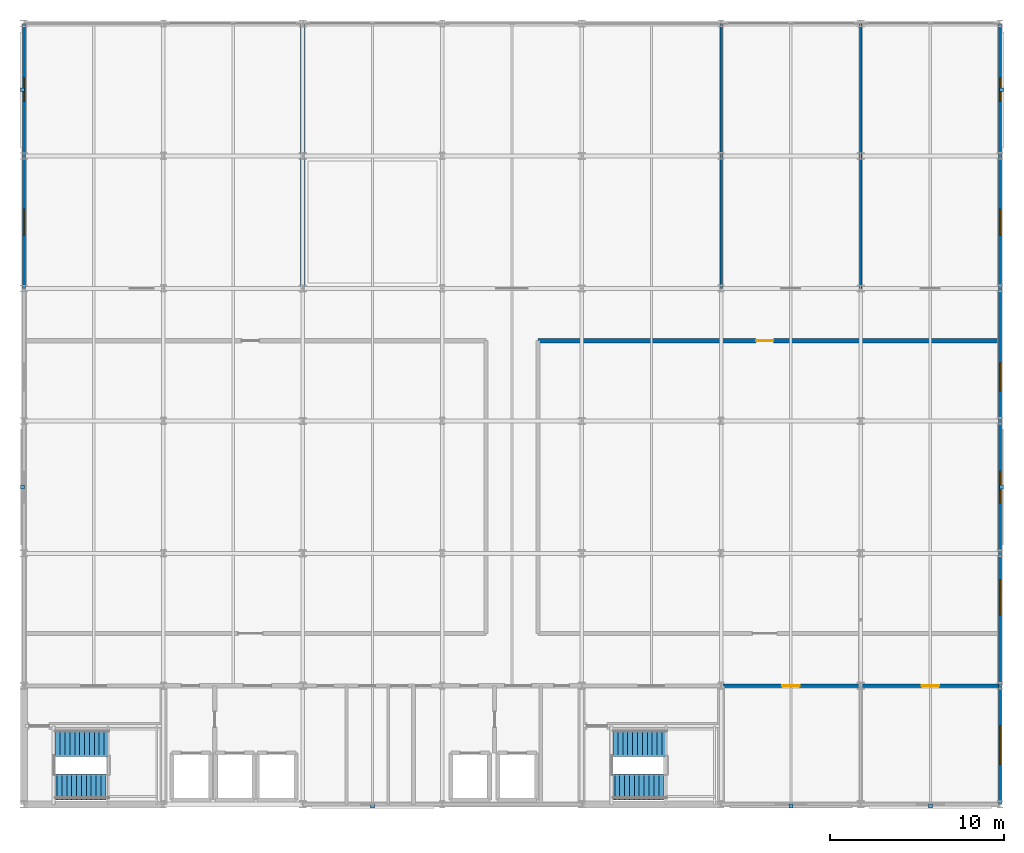
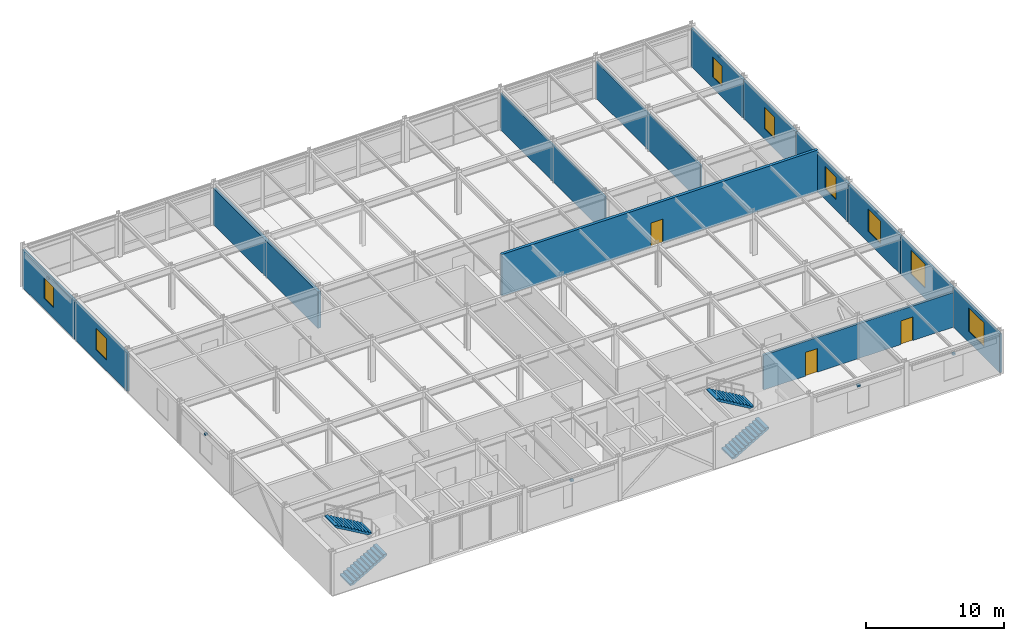
# One storey, part 13 of 14: 13 walls, 8 windows, 7 discrete accessories, 4 stair flights, 3 doors, 11 openings, 2 elements without a shape of their own.
"""IFC4 building model written with IfcOpenShell, lengths in metres."""

from ifc_helpers import new_model, si_unit, direction, frame, frame_2d, origin, origin_2d, place, context, subcontext, project, spatial, polyline, rectangle, outline, extrude, material, layer, layer_set, type_object, element, fill, aggregate, save


model = new_model("IFC4")

# Units and contexts
model_context = context("Model", 3, precision=1e-05, world=origin(), true_north=direction((0.0, 1.0)))
body_context = subcontext(model_context, "Body", "Model", "MODEL_VIEW")
ifc_project = project(units=[si_unit("LENGTHUNIT", "METRE"), si_unit("AREAUNIT", "SQUARE_METRE"), si_unit("VOLUMEUNIT", "CUBIC_METRE"), si_unit("PLANEANGLEUNIT", "RADIAN"), si_unit("MASSUNIT", "GRAM", prefix="KILO")], contexts=[model_context])

# Site, building, storey
site_placement = place(None, origin())
site = spatial("IfcSite", under=ifc_project, at=site_placement, CompositionType="ELEMENT")
building_placement = place(site_placement, origin())
building = spatial("IfcBuilding", under=site, at=building_placement, Name="Shalkamar Park Central Library", CompositionType="ELEMENT")
storey_placement = place(building_placement, frame((0.0, 0.0, 32.10009765625)))
storey = spatial("IfcBuildingStorey", under=building, at=storey_placement, Name="L08", CompositionType="ELEMENT", Elevation=32.10009765625)

# Walls
ifc_material_1 = material(Name="Acoustic insulated reading partition", Category="masonry")
ifc_layer_1 = layer(ifc_material_1, 0.139892578125)
ifc_layer_set_1 = layer_set([ifc_layer_1], Name="AcousticPartition_140")
wall_type_1 = type_object("IfcWallType", Name="Acoustic Partition 140", PredefinedType="PARTITIONING", material=ifc_layer_set_1)
for number, where, z_axis, x_axis, name in (
    (1, (205.0, 278.0, 0.0), (0.0, 0.0, 1.0), (0.0, 1.0, 0.0), "Interior Partition WL-INT-L08-020"),
    (2, (213.0, 278.0, 0.0), (0.0, 0.0, 1.0), (0.0, 1.0, 0.0), "Interior Partition WL-INT-L08-021"),
):
    element("IfcWall", number, at=place(storey_placement, frame(where, z_axis=z_axis, x_axis=x_axis)), inside=storey, type_object=wall_type_1, Name=name, PredefinedType="PARTITIONING", context=body_context, shape_type="SweptSolid", body=[
        extrude(rectangle(XDim=15.199951171875, YDim=0.139892578125, at=frame_2d((7.60009765625, 0.0))), origin(), (0.0, 0.0, 1.0), 3.227783203125),
    ])

# Wall, opening, door
ifc_material_2 = material(Name="Reinforced fire-compartment masonry wall", Category="masonry")
ifc_layer_2 = layer(ifc_material_2, 0.239990234375)
ifc_layer_set_2 = layer_set([ifc_layer_2], Name="CompartmentWall_240")
wall_type_2 = type_object("IfcWallType", Name="Compartment Wall 240", PredefinedType="PARTITIONING", material=ifc_layer_set_2)
wall_1_placement = place(storey_placement, frame((194.5, 275.0, 0.0), z_axis=(0.0, 0.0, 1.0), x_axis=(1.0, 0.0, 0.0)))
wall_1 = element("IfcWall", 3, at=wall_1_placement, inside=storey, type_object=wall_type_2, Name="Interior Partition WL-INT-L08-017", PredefinedType="PARTITIONING", context=body_context, shape_type="SweptSolid", body=[
    extrude(rectangle(XDim=26.5, YDim=0.239990234375, at=frame_2d((13.25, 0.0))), origin(), (0.0, 0.0, 1.0), 3.679931640625),
])
opening_1_placement = place(wall_1_placement, frame((12.5, 0.0, 0.0)))
opening_1 = element("IfcOpeningElement", 4, at=opening_1_placement, cuts=wall_1, Name="Opening DR-L08-017", PredefinedType="OPENING", context=body_context, shape_type="SweptSolid", body=[
    extrude(rectangle(XDim=1.0, YDim=2.10009765625, at=frame_2d((0.5, 1.050048828125))), frame((0.0, 0.134765625, 0.0), z_axis=(0.0, -1.0, 0.0), x_axis=(1.0, 0.0, 0.0)), (0.0, 0.0, 1.0), 0.269775390625),
])
ifc_material_3 = material(Name="Steel S355", Category="steel")
door_type_1 = type_object("IfcDoorType", Name="Fire Door Single 1000x2100", OperationType="NOTDEFINED", PredefinedType="DOOR", material=ifc_material_3)
door_1_placement = place(opening_1_placement, frame((1.0, 0.0, 0.0), z_axis=(0.0, 0.0, 1.0), x_axis=(-1.0, 0.0, 0.0)))
door_1 = element("IfcDoor", 5, at=door_1_placement, inside=storey, type_object=door_type_1, Name="L08 SE Closed Stacks North Door", OperationType="SINGLE_SWING_RIGHT", OverallHeight=2.10009765625, OverallWidth=1.0, PredefinedType="DOOR", context=body_context, shape_type="SweptSolid", body=[
    extrude(rectangle(XDim=1.0, YDim=2.10009765625, at=frame_2d((0.5, 1.050048828125))), frame((0.0, 0.02490234375, 0.0), z_axis=(0.0, -1.0, 0.0), x_axis=(1.0, 0.0, 0.0)), (0.0, 0.0, 1.0), 0.050048828125),
])
fill(opening_1, door_1)

# Wall
wall_2_placement = place(storey_placement, frame((181.0, 278.0, 0.0), z_axis=(0.0, 0.0, 1.0), x_axis=(0.0, 1.0, 0.0)))
element("IfcWall", 6, at=wall_2_placement, inside=storey, type_object=wall_type_2, Name="Interior Partition WL-INT-L08-019", PredefinedType="PARTITIONING", context=body_context, shape_type="SweptSolid", body=[
    extrude(rectangle(XDim=15.199951171875, YDim=0.239990234375, at=frame_2d((7.60009765625, 0.0))), origin(), (0.0, 0.0, 1.0), 3.227783203125),
])

# Wall, openings, doors
ifc_material_4 = material(Name="Fire-rated corridor partition wall", Category="masonry")
ifc_layer_3 = layer(ifc_material_4, 0.199951171875)
ifc_layer_set_3 = layer_set([ifc_layer_3], Name="CorridorFireWall_200")
wall_type_3 = type_object("IfcWallType", Name="Corridor Fire Wall 200", PredefinedType="PARTITIONING", material=ifc_layer_set_3)
wall_3_placement = place(storey_placement, frame((205.0, 255.199951171875, 0.0), z_axis=(0.0, 0.0, 1.0), x_axis=(1.0, 0.0, 0.0)))
wall_3 = element("IfcWall", 7, at=wall_3_placement, inside=storey, type_object=wall_type_3, Name="Interior Partition WL-INT-L08-010", PredefinedType="PARTITIONING", context=body_context, shape_type="SweptSolid", body=[
    extrude(rectangle(XDim=16.0, YDim=0.199951171875, at=frame_2d((8.0, 0.0))), origin(), (0.0, 0.0, 1.0), 3.077880859375),
])
opening_2_placement = place(wall_3_placement, frame((3.5, 0.0, 0.0)))
opening_2 = element("IfcOpeningElement", 8, at=opening_2_placement, cuts=wall_3, Name="Opening DR-L08-012", PredefinedType="OPENING", context=body_context, shape_type="SweptSolid", body=[
    extrude(rectangle(XDim=1.0, YDim=2.10009765625, at=frame_2d((0.5, 1.050048828125))), frame((0.0, 0.11474609375, 0.0), z_axis=(0.0, -1.0, 0.0), x_axis=(1.0, 0.0, 0.0)), (0.0, 0.0, 1.0), 0.229736328125),
])
opening_3_placement = place(wall_3_placement, frame((11.5, 0.0, 0.0)))
opening_3 = element("IfcOpeningElement", 9, at=opening_3_placement, cuts=wall_3, Name="Opening DR-L08-013", PredefinedType="OPENING", context=body_context, shape_type="SweptSolid", body=[
    extrude(rectangle(XDim=1.0, YDim=2.10009765625, at=frame_2d((0.5, 1.050048828125))), frame((0.0, 0.11474609375, 0.0), z_axis=(0.0, -1.0, 0.0), x_axis=(1.0, 0.0, 0.0)), (0.0, 0.0, 1.0), 0.229736328125),
])
door_type_2 = type_object("IfcDoorType", Name="Interior Door Single 1000x2100", OperationType="NOTDEFINED", PredefinedType="DOOR", material=ifc_material_3)
door_2_placement = place(opening_2_placement, frame((1.0, 0.0, 0.0), z_axis=(0.0, 0.0, 1.0), x_axis=(-1.0, 0.0, 0.0)))
door_2 = element("IfcDoor", 10, at=door_2_placement, inside=storey, type_object=door_type_2, Name="L08 Stack Custodian Office Door", OperationType="SINGLE_SWING_RIGHT", OverallHeight=2.10009765625, OverallWidth=1.0, PredefinedType="DOOR", context=body_context, shape_type="SweptSolid", body=[
    extrude(rectangle(XDim=1.0, YDim=2.10009765625, at=frame_2d((0.5, 1.050048828125))), frame((0.0, 0.02490234375, 0.0), z_axis=(0.0, -1.0, 0.0), x_axis=(1.0, 0.0, 0.0)), (0.0, 0.0, 1.0), 0.050048828125),
])
fill(opening_2, door_2)
door_3_placement = place(opening_3_placement, frame((1.0, 0.0, 0.0), z_axis=(0.0, 0.0, 1.0), x_axis=(-1.0, 0.0, 0.0)))
door_3 = element("IfcDoor", 11, at=door_3_placement, inside=storey, type_object=door_type_2, Name="L08 Book Conveyor Dispatch Door", OperationType="SINGLE_SWING_LEFT", OverallHeight=2.10009765625, OverallWidth=1.0, PredefinedType="DOOR", context=body_context, shape_type="SweptSolid", body=[
    extrude(rectangle(XDim=1.0, YDim=2.10009765625, at=frame_2d((0.5, 1.050048828125))), frame((0.0, 0.02490234375, 0.0), z_axis=(0.0, -1.0, 0.0), x_axis=(1.0, 0.0, 0.0)), (0.0, 0.0, 1.0), 0.050048828125),
])
fill(opening_3, door_3)

# Wall, opening, window
ifc_material_5 = material(Name="Terracotta insulated wall panel", Category="masonry")
ifc_layer_4 = layer(ifc_material_5, 0.179931640625)
ifc_layer_set_4 = layer_set([ifc_layer_4], Name="TowerSpandrelWall_180")
wall_type_4 = type_object("IfcWallType", Name="Tower Spandrel Wall 180", PredefinedType="SOLIDWALL", material=ifc_layer_set_4)
wall_4_placement = place(storey_placement, frame((165.0, 278.006103515625, 0.0), z_axis=(0.0, 0.0, 1.0), x_axis=(0.0, 1.0, 0.0)))
wall_4 = element("IfcWall", 12, at=wall_4_placement, inside=storey, type_object=wall_type_4, Name="Exterior Facade Wall WL-EXT-L08-178", PredefinedType="SOLIDWALL", context=body_context, shape_type="SweptSolid", body=[
    extrude(rectangle(XDim=7.587890625, YDim=0.179931640625, at=frame_2d((3.7939453125, 0.0))), origin(), (0.0, 0.0, 1.0), 3.407958984375),
])
opening_4_placement = place(wall_4_placement, frame((3.0439453125, 0.0, 0.949951171875)))
opening_4 = element("IfcOpeningElement", 13, at=opening_4_placement, cuts=wall_4, Name="Opening WN-14", PredefinedType="OPENING", context=body_context, shape_type="SweptSolid", body=[
    extrude(rectangle(XDim=1.5, YDim=1.89990234375, at=frame_2d((0.75, 0.949951171875))), frame((0.0, 0.10498046875, 0.0), z_axis=(0.0, -1.0, 0.0), x_axis=(1.0, 0.0, 0.0)), (0.0, 0.0, 1.0), 0.209716796875),
])
ifc_material_6 = material(Name="Thermally broken aluminium and triple low-e glass", Category="glass")
window_type_1 = type_object("IfcWindowType", Name="Tower Window 1500x1900", PartitioningType="SINGLE_PANEL", PredefinedType="WINDOW", material=ifc_material_6)
window_1_placement = place(opening_4_placement, origin())
window_1 = element("IfcWindow", 14, at=window_1_placement, inside=storey, type_object=window_type_1, Name="Facade Window WN-L08-125", OverallHeight=1.89990234375, OverallWidth=1.5, PartitioningType="SINGLE_PANEL", PredefinedType="WINDOW", context=body_context, shape_type="SweptSolid", body=[
    extrude(rectangle(XDim=1.5, YDim=1.89990234375, at=frame_2d((0.75, 0.949951171875))), frame((0.0, 0.030029296875, 0.0), z_axis=(0.0, -1.0, 0.0), x_axis=(1.0, 0.0, 0.0)), (0.0, 0.0, 1.0), 0.06005859375),
])
fill(opening_4, window_1)

wall_5_placement = place(storey_placement, frame((165.0, 285.60595703125, 0.0), z_axis=(0.0, 0.0, 1.0), x_axis=(0.0, 1.0, 0.0)))
wall_5 = element("IfcWall", 15, at=wall_5_placement, inside=storey, type_object=wall_type_4, Name="Exterior Facade Wall WL-EXT-L08-179", PredefinedType="SOLIDWALL", context=body_context, shape_type="SweptSolid", body=[
    extrude(rectangle(XDim=7.588134765625, YDim=0.179931640625, at=frame_2d((3.7939453125, 0.0))), origin(), (0.0, 0.0, 1.0), 3.407958984375),
])
opening_5_placement = place(wall_5_placement, frame((3.118896484375, 0.0, 0.949951171875)))
opening_5 = element("IfcOpeningElement", 16, at=opening_5_placement, cuts=wall_5, Name="Opening WN-15", PredefinedType="OPENING", context=body_context, shape_type="SweptSolid", body=[
    extrude(rectangle(XDim=1.35009765625, YDim=1.800048828125, at=frame_2d((0.675048828125, 0.89990234375))), frame((0.0, 0.10498046875, 0.0), z_axis=(0.0, -1.0, 0.0), x_axis=(1.0, 0.0, 0.0)), (0.0, 0.0, 1.0), 0.209716796875),
])
window_type_2 = type_object("IfcWindowType", Name="Tower Window 1350x1800", PartitioningType="SINGLE_PANEL", PredefinedType="WINDOW", material=ifc_material_6)
window_2_placement = place(opening_5_placement, origin())
window_2 = element("IfcWindow", 17, at=window_2_placement, inside=storey, type_object=window_type_2, Name="Facade Window WN-L08-126", OverallHeight=1.800048828125, OverallWidth=1.35009765625, PartitioningType="SINGLE_PANEL", PredefinedType="WINDOW", context=body_context, shape_type="SweptSolid", body=[
    extrude(rectangle(XDim=1.35009765625, YDim=1.800048828125, at=frame_2d((0.675048828125, 0.89990234375))), frame((0.0, 0.030029296875, 0.0), z_axis=(0.0, -1.0, 0.0), x_axis=(1.0, 0.0, 0.0)), (0.0, 0.0, 1.0), 0.06005859375),
])
fill(opening_5, window_2)

wall_6_placement = place(storey_placement, frame((221.0, 248.406005859375, 0.0), z_axis=(0.0, 0.0, 1.0), x_axis=(0.0, 1.0, 0.0)))
wall_6 = element("IfcWall", 18, at=wall_6_placement, inside=storey, type_object=wall_type_4, Name="Exterior Facade Wall WL-EXT-L08-180", PredefinedType="SOLIDWALL", context=body_context, shape_type="SweptSolid", body=[
    extrude(rectangle(XDim=6.7880859375, YDim=0.179931640625, at=frame_2d((3.39404296875, 0.0))), origin(), (0.0, 0.0, 1.0), 3.447998046875),
])
opening_6_placement = place(wall_6_placement, frame((2.2939453125, 0.0, 0.949951171875)))
opening_6 = element("IfcOpeningElement", 19, at=opening_6_placement, cuts=wall_6, Name="Opening WN-10", PredefinedType="OPENING", context=body_context, shape_type="SweptSolid", body=[
    extrude(rectangle(XDim=2.199951171875, YDim=2.10009765625, at=frame_2d((1.10009765625, 1.050048828125))), frame((0.0, 0.10498046875, 0.0), z_axis=(0.0, -1.0, 0.0), x_axis=(1.0, 0.0, 0.0)), (0.0, 0.0, 1.0), 0.209716796875),
])
window_type_3 = type_object("IfcWindowType", Name="Tower Window 2200x2100", PartitioningType="DOUBLE_PANEL_VERTICAL", PredefinedType="WINDOW", material=ifc_material_6)
window_3_placement = place(opening_6_placement, origin())
window_3 = element("IfcWindow", 20, at=window_3_placement, inside=storey, type_object=window_type_3, Name="Facade Window WN-L08-127", OverallHeight=2.10009765625, OverallWidth=2.199951171875, PartitioningType="DOUBLE_PANEL_VERTICAL", PredefinedType="WINDOW", context=body_context, shape_type="SweptSolid", body=[
    extrude(rectangle(XDim=2.199951171875, YDim=2.10009765625, at=frame_2d((1.10009765625, 1.050048828125))), frame((0.0, 0.030029296875, 0.0), z_axis=(0.0, -1.0, 0.0), x_axis=(1.0, 0.0, 0.0)), (0.0, 0.0, 1.0), 0.06005859375),
])
fill(opening_6, window_3)

wall_7_placement = place(storey_placement, frame((221.0, 255.2060546875, 0.0), z_axis=(0.0, 0.0, 1.0), x_axis=(0.0, 1.0, 0.0)))
wall_7 = element("IfcWall", 21, at=wall_7_placement, inside=storey, type_object=wall_type_4, Name="Exterior Facade Wall WL-EXT-L08-181", PredefinedType="SOLIDWALL", context=body_context, shape_type="SweptSolid", body=[
    extrude(rectangle(XDim=7.587890625, YDim=0.179931640625, at=frame_2d((3.7939453125, 0.0))), origin(), (0.0, 0.0, 1.0), 3.407958984375),
])
opening_7_placement = place(wall_7_placement, frame((4.06591796875, 0.0, 0.949951171875)))
opening_7 = element("IfcOpeningElement", 22, at=opening_7_placement, cuts=wall_7, Name="Opening WN-11", PredefinedType="OPENING", context=body_context, shape_type="SweptSolid", body=[
    extrude(rectangle(XDim=2.0, YDim=2.10009765625, at=frame_2d((1.0, 1.050048828125))), frame((0.0, 0.10498046875, 0.0), z_axis=(0.0, -1.0, 0.0), x_axis=(1.0, 0.0, 0.0)), (0.0, 0.0, 1.0), 0.209716796875),
])
window_type_4 = type_object("IfcWindowType", Name="Tower Window 2000x2100", PartitioningType="DOUBLE_PANEL_VERTICAL", PredefinedType="WINDOW", material=ifc_material_6)
window_4_placement = place(opening_7_placement, origin())
window_4 = element("IfcWindow", 23, at=window_4_placement, inside=storey, type_object=window_type_4, Name="Facade Window WN-L08-128", OverallHeight=2.10009765625, OverallWidth=2.0, PartitioningType="DOUBLE_PANEL_VERTICAL", PredefinedType="WINDOW", context=body_context, shape_type="SweptSolid", body=[
    extrude(rectangle(XDim=2.0, YDim=2.10009765625, at=frame_2d((1.0, 1.050048828125))), frame((0.0, 0.030029296875, 0.0), z_axis=(0.0, -1.0, 0.0), x_axis=(1.0, 0.0, 0.0)), (0.0, 0.0, 1.0), 0.06005859375),
])
fill(opening_7, window_4)

wall_8_placement = place(storey_placement, frame((221.0, 262.805908203125, 0.0), z_axis=(0.0, 0.0, 1.0), x_axis=(0.0, 1.0, 0.0)))
wall_8 = element("IfcWall", 24, at=wall_8_placement, inside=storey, type_object=wall_type_4, Name="Exterior Facade Wall WL-EXT-L08-182", PredefinedType="SOLIDWALL", context=body_context, shape_type="SweptSolid", body=[
    extrude(rectangle(XDim=7.588134765625, YDim=0.179931640625, at=frame_2d((3.7939453125, 0.0))), origin(), (0.0, 0.0, 1.0), 3.407958984375),
])
opening_8_placement = place(wall_8_placement, frame((2.89404296875, 0.0, 0.949951171875)))
opening_8 = element("IfcOpeningElement", 25, at=opening_8_placement, cuts=wall_8, Name="Opening WN-12", PredefinedType="OPENING", context=body_context, shape_type="SweptSolid", body=[
    extrude(rectangle(XDim=1.800048828125, YDim=2.0, at=frame_2d((0.89990234375, 1.0))), frame((0.0, 0.10498046875, 0.0), z_axis=(0.0, -1.0, 0.0), x_axis=(1.0, 0.0, 0.0)), (0.0, 0.0, 1.0), 0.209716796875),
])
window_type_5 = type_object("IfcWindowType", Name="Tower Window 1800x2000", PartitioningType="DOUBLE_PANEL_VERTICAL", PredefinedType="WINDOW", material=ifc_material_6)
window_5_placement = place(opening_8_placement, origin())
window_5 = element("IfcWindow", 26, at=window_5_placement, inside=storey, type_object=window_type_5, Name="Facade Window WN-L08-129", OverallHeight=2.0, OverallWidth=1.800048828125, PartitioningType="DOUBLE_PANEL_VERTICAL", PredefinedType="WINDOW", context=body_context, shape_type="SweptSolid", body=[
    extrude(rectangle(XDim=1.800048828125, YDim=2.0, at=frame_2d((0.89990234375, 1.0))), frame((0.0, 0.030029296875, 0.0), z_axis=(0.0, -1.0, 0.0), x_axis=(1.0, 0.0, 0.0)), (0.0, 0.0, 1.0), 0.06005859375),
])
fill(opening_8, window_5)

wall_9_placement = place(storey_placement, frame((221.0, 270.406005859375, 0.0), z_axis=(0.0, 0.0, 1.0), x_axis=(0.0, 1.0, 0.0)))
wall_9 = element("IfcWall", 27, at=wall_9_placement, inside=storey, type_object=wall_type_4, Name="Exterior Facade Wall WL-EXT-L08-183", PredefinedType="SOLIDWALL", context=body_context, shape_type="SweptSolid", body=[
    extrude(rectangle(XDim=7.587890625, YDim=0.179931640625, at=frame_2d((3.7939453125, 0.0))), origin(), (0.0, 0.0, 1.0), 3.407958984375),
])
opening_9_placement = place(wall_9_placement, frame((1.721923828125, 0.0, 0.949951171875)))
opening_9 = element("IfcOpeningElement", 28, at=opening_9_placement, cuts=wall_9, Name="Opening WN-13", PredefinedType="OPENING", context=body_context, shape_type="SweptSolid", body=[
    extrude(rectangle(XDim=1.60009765625, YDim=2.0, at=frame_2d((0.800048828125, 1.0))), frame((0.0, 0.10498046875, 0.0), z_axis=(0.0, -1.0, 0.0), x_axis=(1.0, 0.0, 0.0)), (0.0, 0.0, 1.0), 0.209716796875),
])
window_type_6 = type_object("IfcWindowType", Name="Tower Window 1600x2000", PartitioningType="SINGLE_PANEL", PredefinedType="WINDOW", material=ifc_material_6)
window_6_placement = place(opening_9_placement, origin())
window_6 = element("IfcWindow", 29, at=window_6_placement, inside=storey, type_object=window_type_6, Name="Facade Window WN-L08-130", OverallHeight=2.0, OverallWidth=1.60009765625, PartitioningType="SINGLE_PANEL", PredefinedType="WINDOW", context=body_context, shape_type="SweptSolid", body=[
    extrude(rectangle(XDim=1.60009765625, YDim=2.0, at=frame_2d((0.800048828125, 1.0))), frame((0.0, 0.030029296875, 0.0), z_axis=(0.0, -1.0, 0.0), x_axis=(1.0, 0.0, 0.0)), (0.0, 0.0, 1.0), 0.06005859375),
])
fill(opening_9, window_6)

wall_10_placement = place(storey_placement, frame((221.0, 278.006103515625, 0.0), z_axis=(0.0, 0.0, 1.0), x_axis=(0.0, 1.0, 0.0)))
wall_10 = element("IfcWall", 30, at=wall_10_placement, inside=storey, type_object=wall_type_4, Name="Exterior Facade Wall WL-EXT-L08-184", PredefinedType="SOLIDWALL", context=body_context, shape_type="SweptSolid", body=[
    extrude(rectangle(XDim=7.587890625, YDim=0.179931640625, at=frame_2d((3.7939453125, 0.0))), origin(), (0.0, 0.0, 1.0), 3.407958984375),
])
opening_10_placement = place(wall_10_placement, frame((3.0439453125, 0.0, 0.949951171875)))
opening_10 = element("IfcOpeningElement", 31, at=opening_10_placement, cuts=wall_10, Name="Opening WN-14", PredefinedType="OPENING", context=body_context, shape_type="SweptSolid", body=[
    extrude(rectangle(XDim=1.5, YDim=1.89990234375, at=frame_2d((0.75, 0.949951171875))), frame((0.0, 0.10498046875, 0.0), z_axis=(0.0, -1.0, 0.0), x_axis=(1.0, 0.0, 0.0)), (0.0, 0.0, 1.0), 0.209716796875),
])
window_7_placement = place(opening_10_placement, origin())
window_7 = element("IfcWindow", 32, at=window_7_placement, inside=storey, type_object=window_type_1, Name="Facade Window WN-L08-131", OverallHeight=1.89990234375, OverallWidth=1.5, PartitioningType="SINGLE_PANEL", PredefinedType="WINDOW", context=body_context, shape_type="SweptSolid", body=[
    extrude(rectangle(XDim=1.5, YDim=1.89990234375, at=frame_2d((0.75, 0.949951171875))), frame((0.0, 0.030029296875, 0.0), z_axis=(0.0, -1.0, 0.0), x_axis=(1.0, 0.0, 0.0)), (0.0, 0.0, 1.0), 0.06005859375),
])
fill(opening_10, window_7)

wall_11_placement = place(storey_placement, frame((221.0, 285.60595703125, 0.0), z_axis=(0.0, 0.0, 1.0), x_axis=(0.0, 1.0, 0.0)))
wall_11 = element("IfcWall", 33, at=wall_11_placement, inside=storey, type_object=wall_type_4, Name="Exterior Facade Wall WL-EXT-L08-185", PredefinedType="SOLIDWALL", context=body_context, shape_type="SweptSolid", body=[
    extrude(rectangle(XDim=7.588134765625, YDim=0.179931640625, at=frame_2d((3.7939453125, 0.0))), origin(), (0.0, 0.0, 1.0), 3.407958984375),
])
opening_11_placement = place(wall_11_placement, frame((3.118896484375, 0.0, 0.949951171875)))
opening_11 = element("IfcOpeningElement", 34, at=opening_11_placement, cuts=wall_11, Name="Opening WN-15", PredefinedType="OPENING", context=body_context, shape_type="SweptSolid", body=[
    extrude(rectangle(XDim=1.35009765625, YDim=1.800048828125, at=frame_2d((0.675048828125, 0.89990234375))), frame((0.0, 0.10498046875, 0.0), z_axis=(0.0, -1.0, 0.0), x_axis=(1.0, 0.0, 0.0)), (0.0, 0.0, 1.0), 0.209716796875),
])
window_8_placement = place(opening_11_placement, origin())
window_8 = element("IfcWindow", 35, at=window_8_placement, inside=storey, type_object=window_type_2, Name="Facade Window WN-L08-132", OverallHeight=1.800048828125, OverallWidth=1.35009765625, PartitioningType="SINGLE_PANEL", PredefinedType="WINDOW", context=body_context, shape_type="SweptSolid", body=[
    extrude(rectangle(XDim=1.35009765625, YDim=1.800048828125, at=frame_2d((0.675048828125, 0.89990234375))), frame((0.0, 0.030029296875, 0.0), z_axis=(0.0, -1.0, 0.0), x_axis=(1.0, 0.0, 0.0)), (0.0, 0.0, 1.0), 0.06005859375),
])
fill(opening_11, window_8)

# Stair, stair flights
ifc_material_7 = material(Name="Concrete C35/45", Category="concrete")
stair_type = type_object("IfcStairType", Name="Protected Dog Leg Stair 150x390", PredefinedType="TWO_STRAIGHT_RUN_STAIR", material=ifc_material_7)
stair_1_placement = place(storey_placement, origin())
stair_1 = element("IfcStair", 36, at=stair_1_placement, inside=storey, type_object=stair_type, Name="Protected Core Stair ST-T1-L08", PredefinedType="TWO_STRAIGHT_RUN_STAIR")
stair_flight_type = type_object("IfcStairFlightType", Name="Straight Stair Flight 150x390", PredefinedType="STRAIGHT", material=ifc_material_7)
stair_flight_1_placement = place(storey_placement, frame((166.6201171875, 249.389892578125, 0.0), z_axis=(0.0, 0.0, 1.0), x_axis=(1.0, 0.0, 0.0)))
stair_flight_1 = element("IfcStairFlight", 37, at=stair_flight_1_placement, type_object=stair_flight_type, Name="ST-T1-L08 flight 1", NumberOfRisers=12, NumberOfTreads=11, PredefinedType="STRAIGHT", RiserHeight=0.1625, TreadLength=0.28, context=body_context, shape_type="SweptSolid", body=[
    extrude(outline(polyline([(0.0, 0.0), (0.0, 0.16259765625), (0.280029296875, 0.16259765625), (0.280029296875, 0.324951171875), (0.56005859375, 0.324951171875), (0.56005859375, 0.487548828125), (0.840087890625, 0.487548828125), (0.840087890625, 0.64990234375), (1.1201171875, 0.64990234375), (1.1201171875, 0.8125), (1.39990234375, 0.8125), (1.39990234375, 0.97509765625), (1.679931640625, 0.97509765625), (1.679931640625, 1.137451171875), (1.9599609375, 1.137451171875), (1.9599609375, 1.300048828125), (2.239990234375, 1.300048828125), (2.239990234375, 1.46240234375), (2.52001953125, 1.46240234375), (2.52001953125, 1.625), (2.800048828125, 1.625), (2.800048828125, 1.78759765625), (3.080078125, 1.78759765625), (3.080078125, 1.949951171875), (3.080078125, 1.6142578125), (0.298583984375, 0.0), (0.0, 0.0)])), frame((0.0, 0.75, 0.0), z_axis=(0.0, -1.0, 0.0), x_axis=(1.0, 0.0, 0.0)), (0.0, 0.0, 1.0), 1.5),
])
stair_flight_2_placement = place(storey_placement, frame((169.8798828125, 251.909912109375, 1.949951171875), z_axis=(0.0, 0.0, 1.0), x_axis=(-1.0, 0.0, 0.0)))
stair_flight_2 = element("IfcStairFlight", 38, at=stair_flight_2_placement, type_object=stair_flight_type, Name="ST-T1-L08 flight 2", NumberOfRisers=12, NumberOfTreads=11, PredefinedType="STRAIGHT", RiserHeight=0.1625, TreadLength=0.28, context=body_context, shape_type="SweptSolid", body=[
    extrude(outline(polyline([(0.0, 0.0), (0.0, 0.16259765625), (0.280029296875, 0.16259765625), (0.280029296875, 0.324951171875), (0.56005859375, 0.324951171875), (0.56005859375, 0.487548828125), (0.840087890625, 0.487548828125), (0.840087890625, 0.64990234375), (1.1201171875, 0.64990234375), (1.1201171875, 0.8125), (1.39990234375, 0.8125), (1.39990234375, 0.97509765625), (1.679931640625, 0.97509765625), (1.679931640625, 1.137451171875), (1.9599609375, 1.137451171875), (1.9599609375, 1.300048828125), (2.239990234375, 1.300048828125), (2.239990234375, 1.46240234375), (2.52001953125, 1.46240234375), (2.52001953125, 1.625), (2.800048828125, 1.625), (2.800048828125, 1.78759765625), (3.080078125, 1.78759765625), (3.080078125, 1.949951171875), (3.080078125, 1.6142578125), (0.298583984375, 0.0), (0.0, 0.0)])), frame((0.0, 0.75, 0.0), z_axis=(0.0, -1.0, 0.0), x_axis=(1.0, 0.0, 0.0)), (0.0, 0.0, 1.0), 1.5),
])
aggregate(stair_1, [stair_flight_1, stair_flight_2])

stair_2_placement = place(storey_placement, origin())
stair_2 = element("IfcStair", 39, at=stair_2_placement, inside=storey, type_object=stair_type, Name="Protected Core Stair ST-T2-L08", PredefinedType="TWO_STRAIGHT_RUN_STAIR")
stair_flight_3_placement = place(storey_placement, frame((198.6201171875, 249.389892578125, 0.0), z_axis=(0.0, 0.0, 1.0), x_axis=(1.0, 0.0, 0.0)))
stair_flight_3 = element("IfcStairFlight", 40, at=stair_flight_3_placement, type_object=stair_flight_type, Name="ST-T2-L08 flight 1", NumberOfRisers=12, NumberOfTreads=11, PredefinedType="STRAIGHT", RiserHeight=0.1625, TreadLength=0.28, context=body_context, shape_type="SweptSolid", body=[
    extrude(outline(polyline([(0.0, 0.0), (0.0, 0.16259765625), (0.280029296875, 0.16259765625), (0.280029296875, 0.324951171875), (0.56005859375, 0.324951171875), (0.56005859375, 0.487548828125), (0.840087890625, 0.487548828125), (0.840087890625, 0.64990234375), (1.1201171875, 0.64990234375), (1.1201171875, 0.8125), (1.39990234375, 0.8125), (1.39990234375, 0.97509765625), (1.679931640625, 0.97509765625), (1.679931640625, 1.137451171875), (1.9599609375, 1.137451171875), (1.9599609375, 1.300048828125), (2.239990234375, 1.300048828125), (2.239990234375, 1.46240234375), (2.52001953125, 1.46240234375), (2.52001953125, 1.625), (2.800048828125, 1.625), (2.800048828125, 1.78759765625), (3.080078125, 1.78759765625), (3.080078125, 1.949951171875), (3.080078125, 1.6142578125), (0.298583984375, 0.0), (0.0, 0.0)])), frame((0.0, 0.75, 0.0), z_axis=(0.0, -1.0, 0.0), x_axis=(1.0, 0.0, 0.0)), (0.0, 0.0, 1.0), 1.5),
])
stair_flight_4_placement = place(storey_placement, frame((201.8798828125, 251.909912109375, 1.949951171875), z_axis=(0.0, 0.0, 1.0), x_axis=(-1.0, 0.0, 0.0)))
stair_flight_4 = element("IfcStairFlight", 41, at=stair_flight_4_placement, type_object=stair_flight_type, Name="ST-T2-L08 flight 2", NumberOfRisers=12, NumberOfTreads=11, PredefinedType="STRAIGHT", RiserHeight=0.1625, TreadLength=0.28, context=body_context, shape_type="SweptSolid", body=[
    extrude(outline(polyline([(0.0, 0.0), (0.0, 0.16259765625), (0.280029296875, 0.16259765625), (0.280029296875, 0.324951171875), (0.56005859375, 0.324951171875), (0.56005859375, 0.487548828125), (0.840087890625, 0.487548828125), (0.840087890625, 0.64990234375), (1.1201171875, 0.64990234375), (1.1201171875, 0.8125), (1.39990234375, 0.8125), (1.39990234375, 0.97509765625), (1.679931640625, 0.97509765625), (1.679931640625, 1.137451171875), (1.9599609375, 1.137451171875), (1.9599609375, 1.300048828125), (2.239990234375, 1.300048828125), (2.239990234375, 1.46240234375), (2.52001953125, 1.46240234375), (2.52001953125, 1.625), (2.800048828125, 1.625), (2.800048828125, 1.78759765625), (3.080078125, 1.78759765625), (3.080078125, 1.949951171875), (3.080078125, 1.6142578125), (0.298583984375, 0.0), (0.0, 0.0)])), frame((0.0, 0.75, 0.0), z_axis=(0.0, -1.0, 0.0), x_axis=(1.0, 0.0, 0.0)), (0.0, 0.0, 1.0), 1.5),
])
aggregate(stair_2, [stair_flight_3, stair_flight_4])

# Discrete accessories
discrete_accessory_type = type_object("IfcDiscreteAccessoryType", Name="Stainless Facade Bracket", PredefinedType="BRACKET", material=ifc_material_3)
for number, where, z_axis, x_axis, name in (
    (42, (185.0, 248.31005859375, 3.06298828125), (0.0, 0.0, 1.0), (1.0, 0.0, 0.0), "Frieze Fixing Bracket L08-042"),
    (43, (209.0, 248.31005859375, 3.06298828125), (0.0, 0.0, 1.0), (1.0, 0.0, 0.0), "Frieze Fixing Bracket L08-043"),
    (44, (217.0, 248.31005859375, 3.06298828125), (0.0, 0.0, 1.0), (1.0, 0.0, 0.0), "Frieze Fixing Bracket L08-044"),
    (45, (164.909912109375, 266.60009765625, 3.10302734375), (0.0, 0.0, 1.0), (1.0, 0.0, 0.0), "Frieze Fixing Bracket L08-045"),
    (46, (164.909912109375, 289.39990234375, 3.10302734375), (0.0, 0.0, 1.0), (1.0, 0.0, 0.0), "Frieze Fixing Bracket L08-046"),
    (47, (221.090087890625, 266.60009765625, 3.10302734375), (0.0, 0.0, 1.0), (1.0, 0.0, 0.0), "Frieze Fixing Bracket L08-047"),
    (48, (221.090087890625, 289.39990234375, 3.10302734375), (0.0, 0.0, 1.0), (1.0, 0.0, 0.0), "Frieze Fixing Bracket L08-048"),
):
    element("IfcDiscreteAccessory", number, at=place(storey_placement, frame(where, z_axis=z_axis, x_axis=x_axis)), inside=storey, type_object=discrete_accessory_type, Name=name, PredefinedType="BRACKET", context=body_context, shape_type="SweptSolid", body=[
        extrude(rectangle(XDim=0.219970703125, YDim=0.219970703125, at=origin_2d()), origin(), (0.0, 0.0, 1.0), 0.159912109375),
    ])

save(model, "model.ifc")
